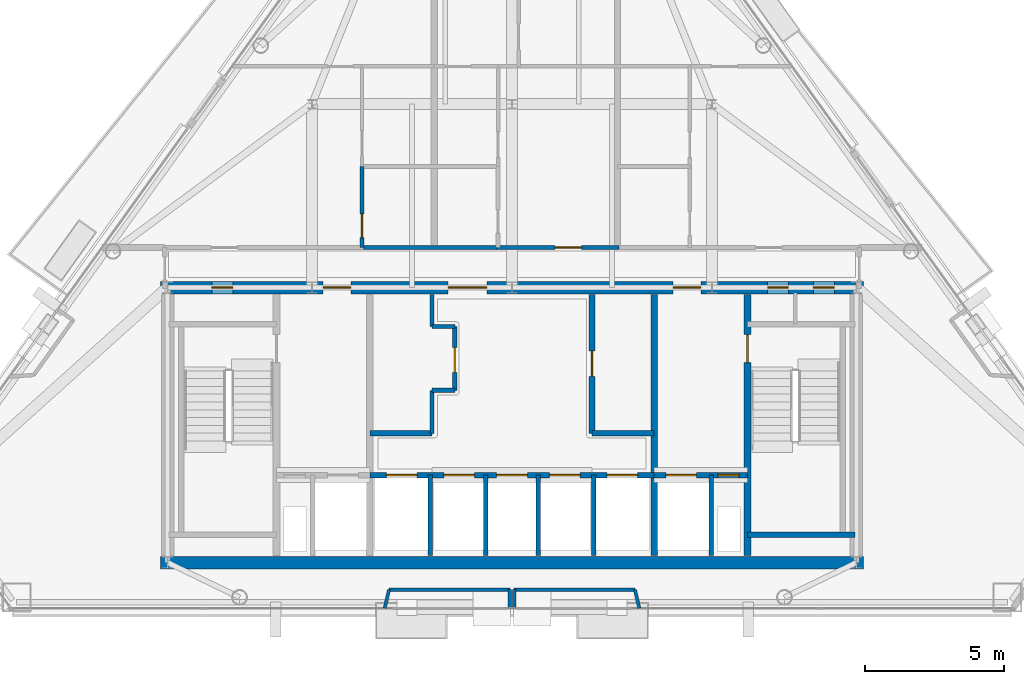
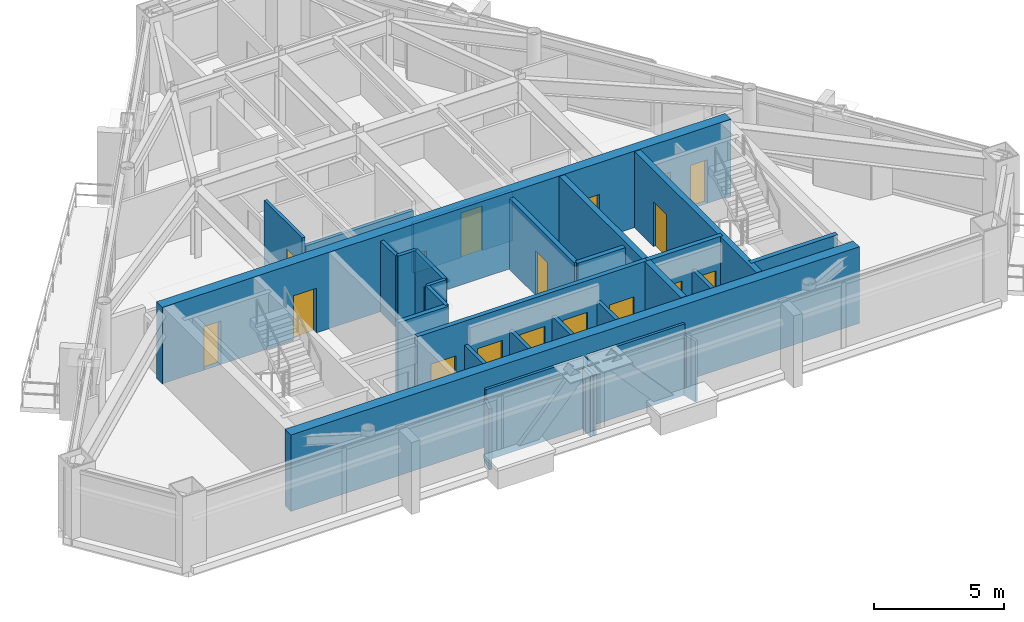
# One storey, part 8 of 12: 29 walls, 18 doors, 18 openings.
"""IFC4 building model written with IfcOpenShell, lengths in metres."""

from ifc_helpers import new_model, si_unit, direction, frame, frame_2d, origin, place, context, subcontext, project, spatial, rectangle, extrude, material, layer, layer_set, type_object, element, fill, save


model = new_model("IFC4")

# Units and contexts
model_context = context("Model", 3, precision=1e-05, world=origin(), true_north=direction((0.0, 1.0)))
body_context = subcontext(model_context, "Body", "Model", "MODEL_VIEW")
ifc_project = project(units=[si_unit("LENGTHUNIT", "METRE"), si_unit("AREAUNIT", "SQUARE_METRE"), si_unit("VOLUMEUNIT", "CUBIC_METRE"), si_unit("PLANEANGLEUNIT", "RADIAN"), si_unit("MASSUNIT", "GRAM", prefix="KILO")], contexts=[model_context])

# Site, building, storey
site_placement = place(None, origin())
site = spatial("IfcSite", under=ifc_project, at=site_placement, CompositionType="ELEMENT")
building_placement = place(site_placement, origin())
building = spatial("IfcBuilding", under=site, at=building_placement, Name="Talgorran Terracotta Tower", CompositionType="ELEMENT")
storey_placement = place(building_placement, frame((0.0, 0.0, 221.699951171875)))
storey = spatial("IfcBuildingStorey", under=building, at=storey_placement, Name="L58", CompositionType="ELEMENT", Elevation=221.699951171875)

# Wall
ifc_material_1 = material(Name="Concrete C50/60", Category="concrete")
ifc_layer_1 = layer(ifc_material_1, 0.199951171875, Name="WT_CORE_200")
ifc_layer_set_1 = layer_set([ifc_layer_1], Name="Concrete C50/60")
wall_type_1 = type_object("IfcWallType", Name="WT_CORE_200", PredefinedType="SOLIDWALL", material=ifc_layer_set_1)
wall_1_placement = place(storey_placement, frame((8.47998046875, -13.10009765625, 0.0), z_axis=(0.0, 0.0, 1.0), x_axis=(1.0, 0.0, 0.0)))
element("IfcWall", 1, at=wall_1_placement, inside=storey, type_object=wall_type_1, Name="WL-L58-CW-ST2-S", PredefinedType="SOLIDWALL", context=body_context, shape_type="SweptSolid", body=[
    extrude(rectangle(XDim=3.8701171875, YDim=0.199951171875, at=frame_2d((1.93505859375, 0.0))), origin(), (0.0, 0.0, 1.0), 3.60009765625),
])

# Wall, openings, doors
wall_2_placement = place(storey_placement, frame((-5.1201171875, -10.949951171875, 0.0), z_axis=(0.0, 0.0, 1.0), x_axis=(1.0, 0.0, 0.0)))
wall_2 = element("IfcWall", 2, at=wall_2_placement, inside=storey, type_object=wall_type_1, Name="WL-L58-CW-H-SBC", PredefinedType="SOLIDWALL", context=body_context, shape_type="SweptSolid", body=[
    extrude(rectangle(XDim=10.240234375, YDim=0.199951171875, at=frame_2d((5.1201171875, 0.0))), origin(), (0.0, 0.0, 1.0), 3.60009765625),
])
opening_1_placement = place(wall_2_placement, frame((0.60009765625, 0.0, 0.0)))
opening_1 = element("IfcOpeningElement", 3, at=opening_1_placement, cuts=wall_2, Name="Opening LD-OB1", PredefinedType="OPENING", context=body_context, shape_type="SweptSolid", body=[
    extrude(rectangle(XDim=1.10609765625, YDim=2.10409765625, at=frame_2d((0.550048828125, 1.052001953125))), frame((0.0, 0.10986328125, 0.0), z_axis=(0.0, -1.0, 0.0), x_axis=(1.0, 0.0, 0.0)), (0.0, 0.0, 1.0), 0.219970703125),
])
opening_2_placement = place(wall_2_placement, frame((2.669921875, 0.0, 0.0)))
opening_2 = element("IfcOpeningElement", 4, at=opening_2_placement, cuts=wall_2, Name="Opening LD-PLH1", PredefinedType="OPENING", context=body_context, shape_type="SweptSolid", body=[
    extrude(rectangle(XDim=1.10609765625, YDim=2.10409765625, at=frame_2d((0.550048828125, 1.052001953125))), frame((0.0, 0.10986328125, 0.0), z_axis=(0.0, -1.0, 0.0), x_axis=(1.0, 0.0, 0.0)), (0.0, 0.0, 1.0), 0.219970703125),
])
opening_3_placement = place(wall_2_placement, frame((4.570068359375, 0.0, 0.0)))
opening_3 = element("IfcOpeningElement", 5, at=opening_3_placement, cuts=wall_2, Name="Opening LD-PLH2", PredefinedType="OPENING", context=body_context, shape_type="SweptSolid", body=[
    extrude(rectangle(XDim=1.10609765625, YDim=2.10409765625, at=frame_2d((0.550048828125, 1.052001953125))), frame((0.0, 0.10986328125, 0.0), z_axis=(0.0, -1.0, 0.0), x_axis=(1.0, 0.0, 0.0)), (0.0, 0.0, 1.0), 0.219970703125),
])
opening_4_placement = place(wall_2_placement, frame((6.469970703125, 0.0, 0.0)))
opening_4 = element("IfcOpeningElement", 6, at=opening_4_placement, cuts=wall_2, Name="Opening LD-PLH3", PredefinedType="OPENING", context=body_context, shape_type="SweptSolid", body=[
    extrude(rectangle(XDim=1.10609765625, YDim=2.10409765625, at=frame_2d((0.550048828125, 1.052001953125))), frame((0.0, 0.10986328125, 0.0), z_axis=(0.0, -1.0, 0.0), x_axis=(1.0, 0.0, 0.0)), (0.0, 0.0, 1.0), 0.219970703125),
])
opening_5_placement = place(wall_2_placement, frame((8.5400390625, 0.0, 0.0)))
opening_5 = element("IfcOpeningElement", 7, at=opening_5_placement, cuts=wall_2, Name="Opening LD-SVL1", PredefinedType="OPENING", context=body_context, shape_type="SweptSolid", body=[
    extrude(rectangle(XDim=1.10609765625, YDim=2.10409765625, at=frame_2d((0.550048828125, 1.052001953125))), frame((0.0, 0.10986328125, 0.0), z_axis=(0.0, -1.0, 0.0), x_axis=(1.0, 0.0, 0.0)), (0.0, 0.0, 1.0), 0.219970703125),
])
ifc_material_2 = material(Name="Brushed Stainless Steel Grade 304", Category="steel")
door_type_1 = type_object("IfcDoorType", Name="DT_LIFT_LD1100", OperationType="DOUBLE_DOOR_SLIDING", PredefinedType="DOOR", material=ifc_material_2)
door_1_placement = place(opening_1_placement, origin())
door_1 = element("IfcDoor", 8, at=door_1_placement, inside=storey, type_object=door_type_1, Name="L58 Lift Landing Door LD-OB1", OperationType="DOUBLE_DOOR_SLIDING", OverallHeight=2.10009765625, OverallWidth=1.10009765625, PredefinedType="DOOR", context=body_context, shape_type="SweptSolid", body=[
    extrude(rectangle(XDim=1.10009765625, YDim=2.10009765625, at=frame_2d((0.550048828125, 1.050048828125))), frame((0.0, 0.02490234375, 0.0), z_axis=(0.0, -1.0, 0.0), x_axis=(1.0, 0.0, 0.0)), (0.0, 0.0, 1.0), 0.050048828125),
])
fill(opening_1, door_1)
door_2_placement = place(opening_2_placement, origin())
door_2 = element("IfcDoor", 9, at=door_2_placement, inside=storey, type_object=door_type_1, Name="L58 Lift Landing Door LD-PLH1", OperationType="DOUBLE_DOOR_SLIDING", OverallHeight=2.10009765625, OverallWidth=1.10009765625, PredefinedType="DOOR", context=body_context, shape_type="SweptSolid", body=[
    extrude(rectangle(XDim=1.10009765625, YDim=2.10009765625, at=frame_2d((0.550048828125, 1.050048828125))), frame((0.0, 0.02490234375, 0.0), z_axis=(0.0, -1.0, 0.0), x_axis=(1.0, 0.0, 0.0)), (0.0, 0.0, 1.0), 0.050048828125),
])
fill(opening_2, door_2)
door_3_placement = place(opening_3_placement, origin())
door_3 = element("IfcDoor", 10, at=door_3_placement, inside=storey, type_object=door_type_1, Name="L58 Lift Landing Door LD-PLH2", OperationType="DOUBLE_DOOR_SLIDING", OverallHeight=2.10009765625, OverallWidth=1.10009765625, PredefinedType="DOOR", context=body_context, shape_type="SweptSolid", body=[
    extrude(rectangle(XDim=1.10009765625, YDim=2.10009765625, at=frame_2d((0.550048828125, 1.050048828125))), frame((0.0, 0.02490234375, 0.0), z_axis=(0.0, -1.0, 0.0), x_axis=(1.0, 0.0, 0.0)), (0.0, 0.0, 1.0), 0.050048828125),
])
fill(opening_3, door_3)
door_4_placement = place(opening_4_placement, origin())
door_4 = element("IfcDoor", 11, at=door_4_placement, inside=storey, type_object=door_type_1, Name="L58 Lift Landing Door LD-PLH3", OperationType="DOUBLE_DOOR_SLIDING", OverallHeight=2.10009765625, OverallWidth=1.10009765625, PredefinedType="DOOR", context=body_context, shape_type="SweptSolid", body=[
    extrude(rectangle(XDim=1.10009765625, YDim=2.10009765625, at=frame_2d((0.550048828125, 1.050048828125))), frame((0.0, 0.02490234375, 0.0), z_axis=(0.0, -1.0, 0.0), x_axis=(1.0, 0.0, 0.0)), (0.0, 0.0, 1.0), 0.050048828125),
])
fill(opening_4, door_4)
door_5_placement = place(opening_5_placement, origin())
door_5 = element("IfcDoor", 12, at=door_5_placement, inside=storey, type_object=door_type_1, Name="L58 Lift Landing Door LD-SVL1", OperationType="DOUBLE_DOOR_SLIDING", OverallHeight=2.10009765625, OverallWidth=1.10009765625, PredefinedType="DOOR", context=body_context, shape_type="SweptSolid", body=[
    extrude(rectangle(XDim=1.10009765625, YDim=2.10009765625, at=frame_2d((0.550048828125, 1.050048828125))), frame((0.0, 0.02490234375, 0.0), z_axis=(0.0, -1.0, 0.0), x_axis=(1.0, 0.0, 0.0)), (0.0, 0.0, 1.0), 0.050048828125),
])
fill(opening_5, door_5)

wall_3_placement = place(storey_placement, frame((5.1201171875, -10.949951171875, 0.0), z_axis=(0.0, 0.0, 1.0), x_axis=(1.0, 0.0, 0.0)))
wall_3 = element("IfcWall", 13, at=wall_3_placement, inside=storey, type_object=wall_type_1, Name="WL-L58-CW-H-SBE", PredefinedType="SOLIDWALL", context=body_context, shape_type="SweptSolid", body=[
    extrude(rectangle(XDim=3.35986328125, YDim=0.199951171875, at=frame_2d((1.679931640625, 0.0))), origin(), (0.0, 0.0, 1.0), 3.60009765625),
])
opening_6_placement = place(wall_3_placement, frame((0.419921875, 0.0, 0.0)))
opening_6 = element("IfcOpeningElement", 14, at=opening_6_placement, cuts=wall_3, Name="Opening LD-FFL2", PredefinedType="OPENING", context=body_context, shape_type="SweptSolid", body=[
    extrude(rectangle(XDim=1.10609765625, YDim=2.10409765625, at=frame_2d((0.550048828125, 1.052001953125))), frame((0.0, 0.10986328125, 0.0), z_axis=(0.0, -1.0, 0.0), x_axis=(1.0, 0.0, 0.0)), (0.0, 0.0, 1.0), 0.219970703125),
])
opening_7_placement = place(wall_3_placement, frame((2.300048828125, 0.0, 0.0)))
opening_7 = element("IfcOpeningElement", 15, at=opening_7_placement, cuts=wall_3, Name="Opening DR-RSE", PredefinedType="OPENING", context=body_context, shape_type="SweptSolid", body=[
    extrude(rectangle(XDim=0.756, YDim=2.054048828125, at=frame_2d((0.375, 1.027099609375))), frame((0.0, 0.10986328125, 0.0), z_axis=(0.0, -1.0, 0.0), x_axis=(1.0, 0.0, 0.0)), (0.0, 0.0, 1.0), 0.219970703125),
])
door_6_placement = place(opening_6_placement, origin())
door_6 = element("IfcDoor", 16, at=door_6_placement, inside=storey, type_object=door_type_1, Name="L58 Lift Landing Door LD-FFL2", OperationType="DOUBLE_DOOR_SLIDING", OverallHeight=2.10009765625, OverallWidth=1.10009765625, PredefinedType="DOOR", context=body_context, shape_type="SweptSolid", body=[
    extrude(rectangle(XDim=1.10009765625, YDim=2.10009765625, at=frame_2d((0.550048828125, 1.050048828125))), frame((0.0, 0.02490234375, 0.0), z_axis=(0.0, -1.0, 0.0), x_axis=(1.0, 0.0, 0.0)), (0.0, 0.0, 1.0), 0.050048828125),
])
fill(opening_6, door_6)
ifc_material_3 = material(Name="Fire-Rated Pressed Steel", Category="steel")
door_type_2 = type_object("IfcDoorType", Name="DT_RISER_750", OperationType="NOTDEFINED", PredefinedType="DOOR", material=ifc_material_3)
door_7_placement = place(opening_7_placement, origin())
door_7 = element("IfcDoor", 17, at=door_7_placement, inside=storey, type_object=door_type_2, Name="DR-RSE", OperationType="SINGLE_SWING_RIGHT", OverallHeight=2.050048828125, OverallWidth=0.75, PredefinedType="DOOR", context=body_context, shape_type="SweptSolid", body=[
    extrude(rectangle(XDim=0.75, YDim=2.050048828125, at=frame_2d((0.375, 1.02490234375))), frame((0.0, 0.02490234375, 0.0), z_axis=(0.0, -1.0, 0.0), x_axis=(1.0, 0.0, 0.0)), (0.0, 0.0, 1.0), 0.050048828125),
])
fill(opening_7, door_7)

# Wall
wall_4_placement = place(storey_placement, frame((-5.1201171875, -9.449951171875, 0.0), z_axis=(0.0, 0.0, 1.0), x_axis=(1.0, 0.0, 0.0)))
element("IfcWall", 18, at=wall_4_placement, inside=storey, type_object=wall_type_1, Name="WL-L58-CW-H-W4", PredefinedType="SOLIDWALL", context=body_context, shape_type="SweptSolid", body=[
    extrude(rectangle(XDim=2.240234375, YDim=0.199951171875, at=frame_2d((1.1201171875, 0.0))), origin(), (0.0, 0.0, 1.0), 3.344970703125),
])

# Wall, opening, door
wall_5_placement = place(storey_placement, frame((2.8798828125, -9.449951171875, 0.0), z_axis=(0.0, 0.0, 1.0), x_axis=(0.0, 1.0, 0.0)))
wall_5 = element("IfcWall", 19, at=wall_5_placement, inside=storey, type_object=wall_type_1, Name="WL-L58-CW-V-E3", PredefinedType="SOLIDWALL", context=body_context, shape_type="SweptSolid", body=[
    extrude(rectangle(XDim=5.0, YDim=0.199951171875, at=frame_2d((2.5, 0.0))), origin(), (0.0, 0.0, 1.0), 3.344970703125),
])
opening_8_placement = place(wall_5_placement, frame((2.050048828125, 0.0, 0.0)))
opening_8 = element("IfcOpeningElement", 20, at=opening_8_placement, cuts=wall_5, Name="Opening DR-FRPLM-A", PredefinedType="OPENING", context=body_context, shape_type="SweptSolid", body=[
    extrude(rectangle(XDim=0.925921875, YDim=2.10409765625, at=frame_2d((0.4599609375, 1.052001953125))), frame((0.0, 0.10986328125, 0.0), z_axis=(0.0, -1.0, 0.0), x_axis=(1.0, 0.0, 0.0)), (0.0, 0.0, 1.0), 0.219970703125),
])
ifc_material_4 = material(Name="Solid-Core Painted Timber", Category="wood")
door_type_3 = type_object("IfcDoorType", Name="DT_INT_920", OperationType="NOTDEFINED", PredefinedType="DOOR", material=ifc_material_4)
door_8_placement = place(opening_8_placement, origin())
door_8 = element("IfcDoor", 21, at=door_8_placement, inside=storey, type_object=door_type_3, Name="DR-FRPLM-A", OperationType="SINGLE_SWING_RIGHT", OverallHeight=2.10009765625, OverallWidth=0.919921875, PredefinedType="DOOR", context=body_context, shape_type="SweptSolid", body=[
    extrude(rectangle(XDim=0.919921875, YDim=2.10009765625, at=frame_2d((0.4599609375, 1.050048828125))), frame((0.0, 0.02490234375, 0.0), z_axis=(0.0, -1.0, 0.0), x_axis=(1.0, 0.0, 0.0)), (0.0, 0.0, 1.0), 0.050048828125),
])
fill(opening_8, door_8)

# Wall
wall_6_placement = place(storey_placement, frame((2.8798828125, -9.449951171875, 0.0), z_axis=(0.0, 0.0, 1.0), x_axis=(1.0, 0.0, 0.0)))
element("IfcWall", 22, at=wall_6_placement, inside=storey, type_object=wall_type_1, Name="WL-L58-CW-H-E4", PredefinedType="SOLIDWALL", context=body_context, shape_type="SweptSolid", body=[
    extrude(rectangle(XDim=2.240234375, YDim=0.199951171875, at=frame_2d((1.1201171875, 0.0))), origin(), (0.0, 0.0, 1.0), 3.344970703125),
])

# Wall, opening, door
ifc_layer_2 = layer(ifc_material_1, 0.25, Name="WT_CORE_250")
ifc_layer_set_2 = layer_set([ifc_layer_2], Name="Concrete C50/60")
wall_type_2 = type_object("IfcWallType", Name="WT_CORE_250", PredefinedType="SHEAR", material=ifc_layer_set_2)
wall_7_placement = place(storey_placement, frame((8.47998046875, -13.85009765625, 0.0), z_axis=(0.0, 0.0, 1.0), x_axis=(0.0, 1.0, 0.0)))
wall_7 = element("IfcWall", 23, at=wall_7_placement, inside=storey, type_object=wall_type_2, Name="WL-L58-CW-V-E1", PredefinedType="SHEAR", context=body_context, shape_type="SweptSolid", body=[
    extrude(rectangle(XDim=9.400146484375, YDim=0.25, at=frame_2d((4.7001953125, 0.0))), origin(), (0.0, 0.0, 1.0), 3.60009765625),
])
opening_9_placement = place(wall_7_placement, frame((6.949951171875, 0.0, 0.0)))
opening_9 = element("IfcOpeningElement", 24, at=opening_9_placement, cuts=wall_7, Name="Opening DR-ST02", PredefinedType="OPENING", context=body_context, shape_type="SweptSolid", body=[
    extrude(rectangle(XDim=1.006, YDim=2.10409765625, at=frame_2d((0.5, 1.052001953125))), frame((0.0, 0.135009765625, 0.0), z_axis=(0.0, -1.0, 0.0), x_axis=(1.0, 0.0, 0.0)), (0.0, 0.0, 1.0), 0.27001953125),
])
door_type_4 = type_object("IfcDoorType", Name="DT_FIRE_1000", OperationType="NOTDEFINED", PredefinedType="DOOR", material=ifc_material_3)
door_9_placement = place(opening_9_placement, origin())
door_9 = element("IfcDoor", 25, at=door_9_placement, inside=storey, type_object=door_type_4, Name="DR-ST02", OperationType="SINGLE_SWING_RIGHT", OverallHeight=2.10009765625, OverallWidth=1.0, PredefinedType="DOOR", context=body_context, shape_type="SweptSolid", body=[
    extrude(rectangle(XDim=1.0, YDim=2.10009765625, at=frame_2d((0.5, 1.050048828125))), frame((0.0, 0.02490234375, 0.0), z_axis=(0.0, -1.0, 0.0), x_axis=(1.0, 0.0, 0.0)), (0.0, 0.0, 1.0), 0.050048828125),
])
fill(opening_9, door_9)

# Walls
wall_8_placement = place(storey_placement, frame((5.1201171875, -13.85009765625, 0.0), z_axis=(0.0, 0.0, 1.0), x_axis=(0.0, 1.0, 0.0)))
element("IfcWall", 26, at=wall_8_placement, inside=storey, type_object=wall_type_2, Name="WL-L58-CW-V-E2", PredefinedType="SHEAR", context=body_context, shape_type="SweptSolid", body=[
    extrude(rectangle(XDim=9.400146484375, YDim=0.25, at=frame_2d((4.7001953125, 0.0))), origin(), (0.0, 0.0, 1.0), 3.60009765625),
])
ifc_material_5 = material(Name="Concrete C65/80", Category="concrete")
ifc_layer_3 = layer(ifc_material_5, 0.449951171875, Name="WT_CORE_EXT")
ifc_layer_set_3 = layer_set([ifc_layer_3], Name="Concrete C65/80")
wall_type_3 = type_object("IfcWallType", Name="WT_CORE_EXT", PredefinedType="SHEAR", material=ifc_layer_set_3)
wall_9_placement = place(storey_placement, frame((-12.64990234375, -14.10009765625, 0.0), z_axis=(0.0, 0.0, 1.0), x_axis=(1.0, 0.0, 0.0)))
element("IfcWall", 27, at=wall_9_placement, inside=storey, type_object=wall_type_3, Name="WL-L58-CW-OUT-S", PredefinedType="SHEAR", context=body_context, shape_type="SweptSolid", body=[
    extrude(rectangle(XDim=25.2998046875, YDim=0.449951171875, at=frame_2d((12.64990234375, 0.0))), origin(), (0.0, 0.0, 1.0), 3.60009765625),
])

# Wall, openings, doors
wall_10_placement = place(storey_placement, frame((-12.64990234375, -4.199951171875, 0.0), z_axis=(0.0, 0.0, 1.0), x_axis=(1.0, 0.0, 0.0)))
wall_10 = element("IfcWall", 28, at=wall_10_placement, inside=storey, type_object=wall_type_3, Name="WL-L58-CW-OUT-N", PredefinedType="SHEAR", context=body_context, shape_type="SweptSolid", body=[
    extrude(rectangle(XDim=25.2998046875, YDim=0.449951171875, at=frame_2d((12.64990234375, 0.0))), origin(), (0.0, 0.0, 1.0), 3.60009765625),
])
opening_10_placement = place(wall_10_placement, frame((1.85009765625, 0.0, 0.0)))
opening_10 = element("IfcOpeningElement", 29, at=opening_10_placement, cuts=wall_10, Name="Opening DR-CSN1", PredefinedType="OPENING", context=body_context, shape_type="SweptSolid", body=[
    extrude(rectangle(XDim=0.756, YDim=2.054048828125, at=frame_2d((0.375, 1.027099609375))), frame((0.0, 0.23486328125, 0.0), z_axis=(0.0, -1.0, 0.0), x_axis=(1.0, 0.0, 0.0)), (0.0, 0.0, 1.0), 0.469970703125),
])
opening_11_placement = place(wall_10_placement, frame((21.85009765625, 0.0, 0.0)))
opening_11 = element("IfcOpeningElement", 30, at=opening_11_placement, cuts=wall_10, Name="Opening DR-CSN2", PredefinedType="OPENING", context=body_context, shape_type="SweptSolid", body=[
    extrude(rectangle(XDim=0.756, YDim=2.054048828125, at=frame_2d((0.375, 1.027099609375))), frame((0.0, 0.23486328125, 0.0), z_axis=(0.0, -1.0, 0.0), x_axis=(1.0, 0.0, 0.0)), (0.0, 0.0, 1.0), 0.469970703125),
])
opening_12_placement = place(wall_10_placement, frame((23.5, 0.0, 0.0)))
opening_12 = element("IfcOpeningElement", 31, at=opening_12_placement, cuts=wall_10, Name="Opening DR-CSN3", PredefinedType="OPENING", context=body_context, shape_type="SweptSolid", body=[
    extrude(rectangle(XDim=0.756, YDim=2.054048828125, at=frame_2d((0.375, 1.027099609375))), frame((0.0, 0.23486328125, 0.0), z_axis=(0.0, -1.0, 0.0), x_axis=(1.0, 0.0, 0.0)), (0.0, 0.0, 1.0), 0.469970703125),
])
opening_13_placement = place(wall_10_placement, frame((5.85009765625, 0.0, 0.0)))
opening_13 = element("IfcOpeningElement", 32, at=opening_13_placement, cuts=wall_10, Name="Opening DR-FFLW-N", PredefinedType="OPENING", context=body_context, shape_type="SweptSolid", body=[
    extrude(rectangle(XDim=1.006, YDim=2.10409765625, at=frame_2d((0.5, 1.052001953125))), frame((0.0, 0.23486328125, 0.0), z_axis=(0.0, -1.0, 0.0), x_axis=(1.0, 0.0, 0.0)), (0.0, 0.0, 1.0), 0.469970703125),
])
opening_14_placement = place(wall_10_placement, frame((10.35009765625, 0.0, 0.0)))
opening_14 = element("IfcOpeningElement", 33, at=opening_14_placement, cuts=wall_10, Name="Opening DR-PLL-N", PredefinedType="OPENING", context=body_context, shape_type="SweptSolid", body=[
    extrude(rectangle(XDim=1.40590234375, YDim=2.15390234375, at=frame_2d((0.699951171875, 1.076904296875))), frame((0.0, 0.23486328125, 0.0), z_axis=(0.0, -1.0, 0.0), x_axis=(1.0, 0.0, 0.0)), (0.0, 0.0, 1.0), 0.469970703125),
])
opening_15_placement = place(wall_10_placement, frame((18.449951171875, 0.0, 0.0)))
opening_15 = element("IfcOpeningElement", 34, at=opening_15_placement, cuts=wall_10, Name="Opening DR-FFLE-N", PredefinedType="OPENING", context=body_context, shape_type="SweptSolid", body=[
    extrude(rectangle(XDim=1.006, YDim=2.10409765625, at=frame_2d((0.5, 1.052001953125))), frame((0.0, 0.23486328125, 0.0), z_axis=(0.0, -1.0, 0.0), x_axis=(1.0, 0.0, 0.0)), (0.0, 0.0, 1.0), 0.469970703125),
])
ifc_material_6 = material(Name="Acoustic Glazed Timber", Category="wood")
door_type_5 = type_object("IfcDoorType", Name="DT_DOUBLE_1400", OperationType="DOUBLE_DOOR_SINGLE_SWING", PredefinedType="DOOR", material=ifc_material_6)
door_10_placement = place(opening_14_placement, origin())
door_10 = element("IfcDoor", 35, at=door_10_placement, inside=storey, type_object=door_type_5, Name="DR-PLL-N", OperationType="DOUBLE_DOOR_SINGLE_SWING", OverallHeight=2.14990234375, OverallWidth=1.39990234375, PredefinedType="DOOR", context=body_context, shape_type="SweptSolid", body=[
    extrude(rectangle(XDim=1.39990234375, YDim=2.14990234375, at=frame_2d((0.699951171875, 1.074951171875))), frame((0.0, 0.02490234375, 0.0), z_axis=(0.0, -1.0, 0.0), x_axis=(1.0, 0.0, 0.0)), (0.0, 0.0, 1.0), 0.050048828125),
])
fill(opening_14, door_10)
door_11_placement = place(opening_13_placement, origin())
door_11 = element("IfcDoor", 36, at=door_11_placement, inside=storey, type_object=door_type_4, Name="DR-FFLW-N", OperationType="SINGLE_SWING_LEFT", OverallHeight=2.10009765625, OverallWidth=1.0, PredefinedType="DOOR", context=body_context, shape_type="SweptSolid", body=[
    extrude(rectangle(XDim=1.0, YDim=2.10009765625, at=frame_2d((0.5, 1.050048828125))), frame((0.0, 0.02490234375, 0.0), z_axis=(0.0, -1.0, 0.0), x_axis=(1.0, 0.0, 0.0)), (0.0, 0.0, 1.0), 0.050048828125),
])
fill(opening_13, door_11)
door_12_placement = place(opening_15_placement, origin())
door_12 = element("IfcDoor", 37, at=door_12_placement, inside=storey, type_object=door_type_4, Name="DR-FFLE-N", OperationType="SINGLE_SWING_RIGHT", OverallHeight=2.10009765625, OverallWidth=1.0, PredefinedType="DOOR", context=body_context, shape_type="SweptSolid", body=[
    extrude(rectangle(XDim=1.0, YDim=2.10009765625, at=frame_2d((0.5, 1.050048828125))), frame((0.0, 0.02490234375, 0.0), z_axis=(0.0, -1.0, 0.0), x_axis=(1.0, 0.0, 0.0)), (0.0, 0.0, 1.0), 0.050048828125),
])
fill(opening_15, door_12)
door_13_placement = place(opening_10_placement, origin())
door_13 = element("IfcDoor", 38, at=door_13_placement, inside=storey, type_object=door_type_2, Name="DR-CSN1", OperationType="SINGLE_SWING_LEFT", OverallHeight=2.050048828125, OverallWidth=0.75, PredefinedType="DOOR", context=body_context, shape_type="SweptSolid", body=[
    extrude(rectangle(XDim=0.75, YDim=2.050048828125, at=frame_2d((0.375, 1.02490234375))), frame((0.0, 0.02490234375, 0.0), z_axis=(0.0, -1.0, 0.0), x_axis=(1.0, 0.0, 0.0)), (0.0, 0.0, 1.0), 0.050048828125),
])
fill(opening_10, door_13)
door_14_placement = place(opening_11_placement, origin())
door_14 = element("IfcDoor", 39, at=door_14_placement, inside=storey, type_object=door_type_2, Name="DR-CSN2", OperationType="SINGLE_SWING_LEFT", OverallHeight=2.050048828125, OverallWidth=0.75, PredefinedType="DOOR", context=body_context, shape_type="SweptSolid", body=[
    extrude(rectangle(XDim=0.75, YDim=2.050048828125, at=frame_2d((0.375, 1.02490234375))), frame((0.0, 0.02490234375, 0.0), z_axis=(0.0, -1.0, 0.0), x_axis=(1.0, 0.0, 0.0)), (0.0, 0.0, 1.0), 0.050048828125),
])
fill(opening_11, door_14)
door_15_placement = place(opening_12_placement, origin())
door_15 = element("IfcDoor", 40, at=door_15_placement, inside=storey, type_object=door_type_2, Name="DR-CSN3", OperationType="SINGLE_SWING_RIGHT", OverallHeight=2.050048828125, OverallWidth=0.75, PredefinedType="DOOR", context=body_context, shape_type="SweptSolid", body=[
    extrude(rectangle(XDim=0.75, YDim=2.050048828125, at=frame_2d((0.375, 1.02490234375))), frame((0.0, 0.02490234375, 0.0), z_axis=(0.0, -1.0, 0.0), x_axis=(1.0, 0.0, 0.0)), (0.0, 0.0, 1.0), 0.050048828125),
])
fill(opening_12, door_15)

# Walls
ifc_material_7 = material(Name="Fire-Rated Steel Stud Plasterboard", Category="steel")
ifc_layer_4 = layer(ifc_material_7, 0.14990234375, Name="WT_FIRE_150")
ifc_layer_set_4 = layer_set([ifc_layer_4], Name="Fire-Rated Steel Stud Plasterboard")
wall_type_4 = type_object("IfcWallType", Name="WT_FIRE_150", PredefinedType="PARTITIONING", material=ifc_layer_set_4)
wall_11_placement = place(storey_placement, frame((-2.8798828125, -9.449951171875, 0.0), z_axis=(0.0, 0.0, 1.0), x_axis=(0.0, 1.0, 0.0)))
element("IfcWall", 41, at=wall_11_placement, inside=storey, type_object=wall_type_4, Name="WL-L58-CW-V-W3A", PredefinedType="PARTITIONING", context=body_context, shape_type="SweptSolid", body=[
    extrude(rectangle(XDim=1.550048828125, YDim=0.14990234375, at=frame_2d((0.77490234375, 0.0))), origin(), (0.0, 0.0, 1.0), 3.344970703125),
])
wall_12_placement = place(storey_placement, frame((-2.8798828125, -7.89990234375, 0.0), z_axis=(0.0, 0.0, 1.0), x_axis=(1.0, 0.0, 0.0)))
element("IfcWall", 42, at=wall_12_placement, inside=storey, type_object=wall_type_4, Name="WL-L58-CW-H-W3B", PredefinedType="PARTITIONING", context=body_context, shape_type="SweptSolid", body=[
    extrude(rectangle(XDim=0.81982421875, YDim=0.14990234375, at=frame_2d((0.409912109375, 0.0))), origin(), (0.0, 0.0, 1.0), 3.344970703125),
])

# Wall, opening, door
wall_13_placement = place(storey_placement, frame((-2.06005859375, -7.89990234375, 0.0), z_axis=(0.0, 0.0, 1.0), x_axis=(0.0, 1.0, 0.0)))
wall_13 = element("IfcWall", 43, at=wall_13_placement, inside=storey, type_object=wall_type_4, Name="WL-L58-CW-V-W3C", PredefinedType="PARTITIONING", context=body_context, shape_type="SweptSolid", body=[
    extrude(rectangle(XDim=2.2998046875, YDim=0.14990234375, at=frame_2d((1.14990234375, 0.0))), origin(), (0.0, 0.0, 1.0), 3.344970703125),
])
opening_16_placement = place(wall_13_placement, frame((0.64990234375, 0.0, 0.0)))
opening_16 = element("IfcOpeningElement", 44, at=opening_16_placement, cuts=wall_13, Name="Opening DR-FRPLL-B", PredefinedType="OPENING", context=body_context, shape_type="SweptSolid", body=[
    extrude(rectangle(XDim=0.8858828125, YDim=2.10409765625, at=frame_2d((0.43994140625, 1.052001953125))), frame((0.0, 0.0849609375, 0.0), z_axis=(0.0, -1.0, 0.0), x_axis=(1.0, 0.0, 0.0)), (0.0, 0.0, 1.0), 0.169921875),
])
door_type_6 = type_object("IfcDoorType", Name="DT_INT_880", OperationType="NOTDEFINED", PredefinedType="DOOR", material=ifc_material_4)
door_16_placement = place(opening_16_placement, origin())
door_16 = element("IfcDoor", 45, at=door_16_placement, inside=storey, type_object=door_type_6, Name="DR-FRPLL-B", OperationType="SINGLE_SWING_LEFT", OverallHeight=2.10009765625, OverallWidth=0.8798828125, PredefinedType="DOOR", context=body_context, shape_type="SweptSolid", body=[
    extrude(rectangle(XDim=0.8798828125, YDim=2.10009765625, at=frame_2d((0.43994140625, 1.050048828125))), frame((0.0, 0.02490234375, 0.0), z_axis=(0.0, -1.0, 0.0), x_axis=(1.0, 0.0, 0.0)), (0.0, 0.0, 1.0), 0.050048828125),
])
fill(opening_16, door_16)

# Walls
wall_14_placement = place(storey_placement, frame((-2.8798828125, -5.60009765625, 0.0), z_axis=(0.0, 0.0, 1.0), x_axis=(1.0, 0.0, 0.0)))
element("IfcWall", 46, at=wall_14_placement, inside=storey, type_object=wall_type_4, Name="WL-L58-CW-H-W3D", PredefinedType="PARTITIONING", context=body_context, shape_type="SweptSolid", body=[
    extrude(rectangle(XDim=0.81982421875, YDim=0.14990234375, at=frame_2d((0.409912109375, 0.0))), origin(), (0.0, 0.0, 1.0), 3.344970703125),
])
wall_15_placement = place(storey_placement, frame((-2.8798828125, -5.60009765625, 0.0), z_axis=(0.0, 0.0, 1.0), x_axis=(0.0, 1.0, 0.0)))
element("IfcWall", 47, at=wall_15_placement, inside=storey, type_object=wall_type_4, Name="WL-L58-CW-V-W3E", PredefinedType="PARTITIONING", context=body_context, shape_type="SweptSolid", body=[
    extrude(rectangle(XDim=1.150146484375, YDim=0.14990234375, at=frame_2d((0.5751953125, 0.0))), origin(), (0.0, 0.0, 1.0), 3.344970703125),
])

# Wall, opening, door
wall_16_placement = place(storey_placement, frame((-0.56005859375, -2.760009765625, 0.0), z_axis=(0.0, 0.0, 1.0), x_axis=(1.0, 0.0, 0.0)))
wall_16 = element("IfcWall", 48, at=wall_16_placement, inside=storey, type_object=wall_type_4, Name="WL-L58-W-L58-R06", PredefinedType="PARTITIONING", context=body_context, shape_type="SweptSolid", body=[
    extrude(rectangle(XDim=4.420166015625, YDim=0.14990234375, at=frame_2d((2.2099609375, 0.0))), origin(), (0.0, 0.0, 1.0), 2.320068359375),
])
opening_17_placement = place(wall_16_placement, frame((2.11376953125, 0.0, 0.0)))
opening_17 = element("IfcOpeningElement", 49, at=opening_17_placement, cuts=wall_16, Name="Opening DR-L58-R10", PredefinedType="OPENING", context=body_context, shape_type="SweptSolid", body=[
    extrude(rectangle(XDim=0.955951171875, YDim=2.10409765625, at=frame_2d((0.47509765625, 1.052001953125))), frame((0.0, 0.0849609375, 0.0), z_axis=(0.0, -1.0, 0.0), x_axis=(1.0, 0.0, 0.0)), (0.0, 0.0, 1.0), 0.169921875),
])
ifc_material_8 = material(Name="Fire-Rated Timber Core", Category="wood")
door_type_7 = type_object("IfcDoorType", Name="DT_FIRE_950", OperationType="NOTDEFINED", PredefinedType="DOOR", material=ifc_material_8)
door_17_placement = place(opening_17_placement, origin())
door_17 = element("IfcDoor", 50, at=door_17_placement, inside=storey, type_object=door_type_7, Name="DR-L58-R10", OperationType="SINGLE_SWING_RIGHT", OverallHeight=2.10009765625, OverallWidth=0.949951171875, PredefinedType="DOOR", context=body_context, shape_type="SweptSolid", body=[
    extrude(rectangle(XDim=0.949951171875, YDim=2.10009765625, at=frame_2d((0.47509765625, 1.050048828125))), frame((0.0, 0.02490234375, 0.0), z_axis=(0.0, -1.0, 0.0), x_axis=(1.0, 0.0, 0.0)), (0.0, 0.0, 1.0), 0.050048828125),
])
fill(opening_17, door_17)

# Walls
wall_17_placement = place(storey_placement, frame((-5.337890625, -2.760009765625, 0.0), z_axis=(0.0, 0.0, 1.0), x_axis=(1.0, 0.0, 0.0)))
element("IfcWall", 51, at=wall_17_placement, inside=storey, type_object=wall_type_4, Name="WL-L58-W-L58-R03", PredefinedType="PARTITIONING", context=body_context, shape_type="SweptSolid", body=[
    extrude(rectangle(XDim=4.77587890625, YDim=0.14990234375, at=frame_2d((2.387939453125, 0.0))), origin(), (0.0, 0.0, 1.0), 2.96435546875),
])
ifc_material_9 = material(Name="Insulated Steel Stud Plasterboard", Category="steel")
ifc_layer_5 = layer(ifc_material_9, 0.1201171875, Name="WT_PART_120")
ifc_layer_set_5 = layer_set([ifc_layer_5], Name="Insulated Steel Stud Plasterboard")
wall_type_5 = type_object("IfcWallType", Name="WT_PART_120", PredefinedType="PARTITIONING", material=ifc_layer_set_5)
for number, where, z_axis, x_axis, name in (
    (52, (-4.423095703125, -15.072265625, 0.0), (0.0, 0.0, 1.0), (1.0, 0.0, 0.0), "WL-L58-BW-L58-01"),
    (53, (0.08056640625, -15.072265625, 0.0), (0.0, 0.0, 1.0), (1.0, 0.0, 0.0), "WL-L58-BW-L58-06"),
):
    element("IfcWall", number, at=place(storey_placement, frame(where, z_axis=z_axis, x_axis=x_axis)), inside=storey, type_object=wall_type_5, Name=name, PredefinedType="PARTITIONING", context=body_context, shape_type="SweptSolid", body=[
        extrude(rectangle(XDim=4.342529296875, YDim=0.1201171875, at=frame_2d((2.17138671875, 0.0))), origin(), (0.0, 0.0, 1.0), 3.344970703125),
    ])
for number, where, z_axis, x_axis, name in (
    (54, (-4.583984375, -15.7421875, 0.0), (0.0, 0.0, 1.0), (0.233520374611, 0.972351908849, 0.0), "WL-L58-BW-L58-03"),
    (55, (4.423095703125, -15.072265625, 0.0), (0.0, 0.0, 1.0), (0.233520374611, -0.972351908849, 0.0), "WL-L58-BW-L58-04"),
):
    element("IfcWall", number, at=place(storey_placement, frame(where, z_axis=z_axis, x_axis=x_axis)), inside=storey, type_object=wall_type_5, Name=name, PredefinedType="PARTITIONING", context=body_context, shape_type="SweptSolid", body=[
        extrude(rectangle(XDim=0.68896484375, YDim=0.1201171875, at=frame_2d((0.344482421875, 0.0))), origin(), (0.0, 0.0, 1.0), 2.863037109375),
    ])
for number, where, z_axis, x_axis, name in (
    (56, (-0.08056640625, -15.072265625, 0.0), (0.0, 0.0, 1.0), (0.0, -1.0, 0.0), "WL-L58-BW-L58-02"),
    (57, (0.08056640625, -15.7421875, 0.0), (0.0, 0.0, 1.0), (0.0, 1.0, 0.0), "WL-L58-BW-L58-05"),
):
    element("IfcWall", number, at=place(storey_placement, frame(where, z_axis=z_axis, x_axis=x_axis)), inside=storey, type_object=wall_type_5, Name=name, PredefinedType="PARTITIONING", context=body_context, shape_type="SweptSolid", body=[
        extrude(rectangle(XDim=0.669921875, YDim=0.1201171875, at=frame_2d((0.3349609375, 0.0))), origin(), (0.0, 0.0, 1.0), 2.863037109375),
    ])

# Wall, opening, door
ifc_material_10 = material(Name="Moisture-Resistant Stud Wall")
ifc_layer_6 = layer(ifc_material_10, 0.135009765625, Name="WT_PART_135")
ifc_layer_set_6 = layer_set([ifc_layer_6], Name="Moisture-Resistant Stud Wall")
wall_type_6 = type_object("IfcWallType", Name="WT_PART_135", PredefinedType="PARTITIONING", material=ifc_layer_set_6)
wall_18_placement = place(storey_placement, frame((-5.39990234375, -2.760009765625, 0.0), z_axis=(0.0, 0.0, 1.0), x_axis=(0.0, 1.0, 0.0)))
wall_18 = element("IfcWall", 58, at=wall_18_placement, inside=storey, type_object=wall_type_6, Name="WL-L58-W-L58-R12", PredefinedType="PARTITIONING", context=body_context, shape_type="SweptSolid", body=[
    extrude(rectangle(XDim=2.919921875, YDim=0.135009765625, at=frame_2d((1.4599609375, 0.0))), origin(), (0.0, 0.0, 1.0), 3.344970703125),
])
opening_18_placement = place(wall_18_placement, frame((0.358642578125, 0.0, 0.0)))
opening_18 = element("IfcOpeningElement", 59, at=opening_18_placement, cuts=wall_18, Name="Opening DR-L58-R03", PredefinedType="OPENING", context=body_context, shape_type="SweptSolid", body=[
    extrude(rectangle(XDim=0.85609765625, YDim=2.10409765625, at=frame_2d((0.425048828125, 1.052001953125))), frame((0.0, 0.07763671875, 0.0), z_axis=(0.0, -1.0, 0.0), x_axis=(1.0, 0.0, 0.0)), (0.0, 0.0, 1.0), 0.155029296875),
])
ifc_material_11 = material(Name="Moisture-Resistant Solid Timber", Category="wood")
door_type_8 = type_object("IfcDoorType", Name="DT_INT_850", OperationType="NOTDEFINED", PredefinedType="DOOR", material=ifc_material_11)
door_18_placement = place(opening_18_placement, origin())
door_18 = element("IfcDoor", 60, at=door_18_placement, inside=storey, type_object=door_type_8, Name="DR-L58-R03", OperationType="SINGLE_SWING_LEFT", OverallHeight=2.10009765625, OverallWidth=0.85009765625, PredefinedType="DOOR", context=body_context, shape_type="SweptSolid", body=[
    extrude(rectangle(XDim=0.85009765625, YDim=2.10009765625, at=frame_2d((0.425048828125, 1.050048828125))), frame((0.0, 0.02490234375, 0.0), z_axis=(0.0, -1.0, 0.0), x_axis=(1.0, 0.0, 0.0)), (0.0, 0.0, 1.0), 0.050048828125),
])
fill(opening_18, door_18)

# Walls
ifc_material_12 = material(Name="Fire-Rated Shaftwall")
ifc_layer_7 = layer(ifc_material_12, 0.159912109375, Name="WT_PART_150")
ifc_layer_set_7 = layer_set([ifc_layer_7], Name="Fire-Rated Shaftwall")
wall_type_7 = type_object("IfcWallType", Name="WT_PART_150", PredefinedType="PARTITIONING", material=ifc_layer_set_7)
for number, where, z_axis, x_axis, name in (
    (61, (7.179931640625, -13.85009765625, 0.0), (0.0, 0.0, 1.0), (0.0, 1.0, 0.0), "WL-L58-CW-RSE"),
    (62, (-2.949951171875, -13.85009765625, 0.0), (0.0, 0.0, 1.0), (0.0, 1.0, 0.0), "WL-L58-CW-OB-E"),
    (63, (2.949951171875, -13.85009765625, 0.0), (0.0, 0.0, 1.0), (0.0, 1.0, 0.0), "WL-L58-CW-SV-W"),
    (64, (-0.949951171875, -13.85009765625, 0.0), (0.0, 0.0, 1.0), (0.0, 1.0, 0.0), "WL-L58-CW-PLH-D1"),
    (65, (0.949951171875, -13.85009765625, 0.0), (0.0, 0.0, 1.0), (0.0, 1.0, 0.0), "WL-L58-CW-PLH-D2"),
):
    element("IfcWall", number, at=place(storey_placement, frame(where, z_axis=z_axis, x_axis=x_axis)), inside=storey, type_object=wall_type_7, Name=name, PredefinedType="PARTITIONING", context=body_context, shape_type="SweptSolid", body=[
        extrude(rectangle(XDim=2.900146484375, YDim=0.159912109375, at=frame_2d((1.4501953125, 0.0))), origin(), (0.0, 0.0, 1.0), 2.469970703125),
    ])

save(model, "model.ifc")
